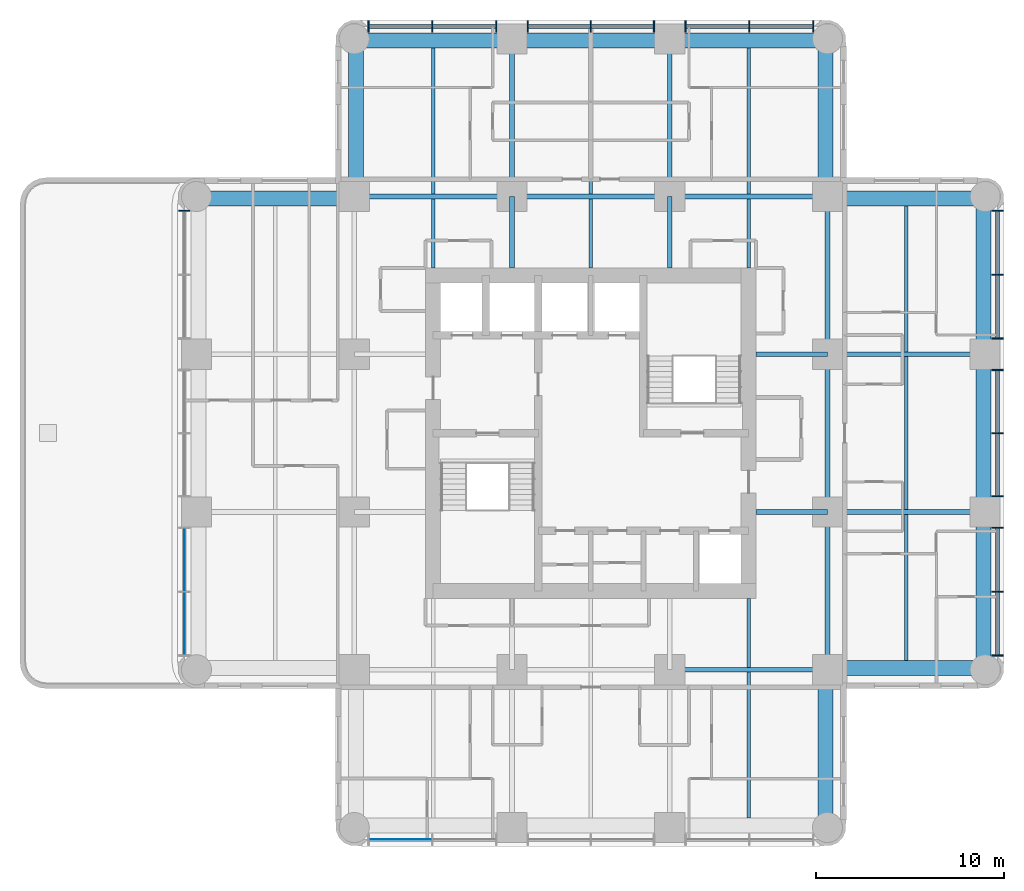
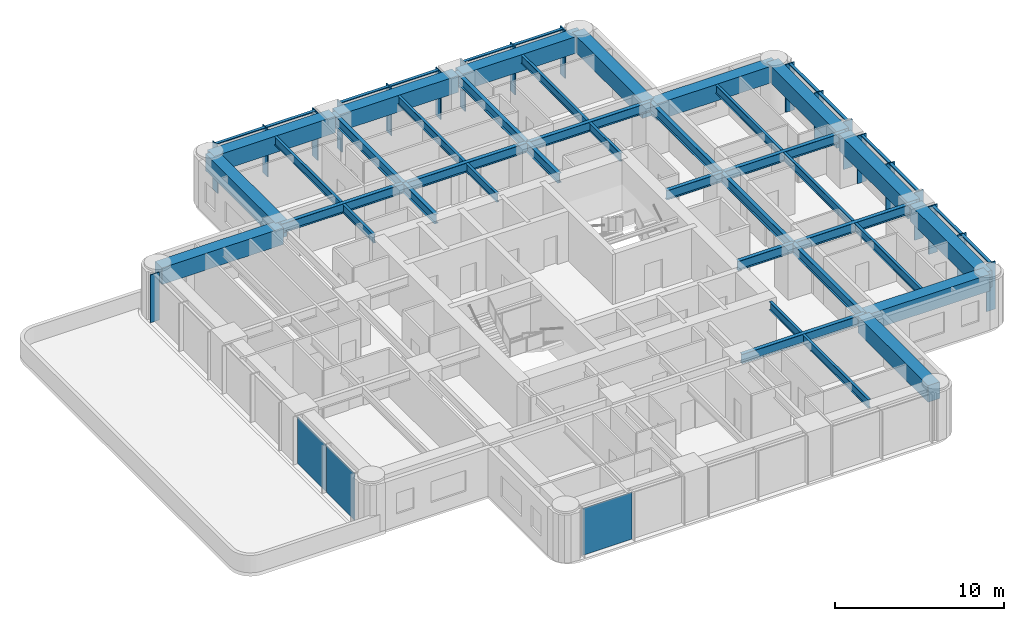
# One storey, part 2 of 9: 38 beams, 31 members, 3 plates, 4 elements without a shape of their own.
"""IFC4 building model written with IfcOpenShell, lengths in metres."""

from ifc_helpers import new_model, si_unit, direction, frame, origin, origin_2d, place, context, subcontext, project, spatial, rectangle, i_section, extrude, material, layer, layer_set, material_profile, profile_set, type_object, element, aggregate, save


model = new_model("IFC4")

# Units and contexts
model_context = context("Model", 3, precision=1e-05, world=origin(), true_north=direction((0.0, 1.0)))
body_context = subcontext(model_context, "Body", "Model", "MODEL_VIEW")
ifc_project = project(units=[si_unit("LENGTHUNIT", "METRE"), si_unit("AREAUNIT", "SQUARE_METRE"), si_unit("VOLUMEUNIT", "CUBIC_METRE"), si_unit("PLANEANGLEUNIT", "RADIAN"), si_unit("MASSUNIT", "GRAM", prefix="KILO")], contexts=[model_context])

# Site, building, storey
site_placement = place(None, origin())
site = spatial("IfcSite", under=ifc_project, at=site_placement, CompositionType="ELEMENT")
building_placement = place(site_placement, origin())
building = spatial("IfcBuilding", under=site, at=building_placement, Name="Torre Alcanfor", CompositionType="ELEMENT")
storey_placement = place(building_placement, frame((0.0, 0.0, 254.10009765625)))
storey = spatial("IfcBuildingStorey", under=building, at=storey_placement, Name="L66", CompositionType="ELEMENT", Elevation=254.10009765625)

# Curtain wall, member
ifc_material_1 = material(Name="Aluminium and glass", Category="aluminium")
curtain_wall_type = type_object("IfcCurtainWallType", Name="CW-A unitised apartment glazing with vertical FIN", PredefinedType="NOTDEFINED", material=ifc_material_1)
curtain_wall_1_placement = place(storey_placement, origin())
curtain_wall_1 = element("IfcCurtainWall", 1, at=curtain_wall_1_placement, inside=storey, type_object=curtain_wall_type, Name="Curtain wall CW-A L66 2", PredefinedType="NOTDEFINED")
ifc_material_2 = material(Name="Bronze anodised aluminium", Category="aluminium")
ifc_material_profile_1 = material_profile(ifc_material_2, rectangle(XDim=0.60009765625, YDim=0.06494140625, at=origin_2d()), Name="CW-A mullion 65x600")
ifc_profile_set_1 = profile_set([ifc_material_profile_1], Name="Bronze anodised aluminium")
member_type_1 = type_object("IfcMemberType", Name="CW-A mullion with vertical FIN 65x600", PredefinedType="MULLION", material=ifc_profile_set_1)
member_1_placement = place(storey_placement, frame((7.75, 41.24267578125, 0.0), z_axis=(0.0, 0.0, 1.0), x_axis=(1.0, 0.0, 0.0)))
member_1 = element("IfcMember", 2, at=member_1_placement, type_object=member_type_1, Name="CW-A mullion 1.1", PredefinedType="MULLION", context=body_context, shape_type="SweptSolid", body=[
    extrude(rectangle(XDim=0.60009765625, YDim=0.06494140625, at=origin_2d()), origin(), (0.0, 0.0, 1.0), 3.449951171875),
])

# Curtain wall, members
curtain_wall_2_placement = place(storey_placement, origin())
curtain_wall_2 = element("IfcCurtainWall", 3, at=curtain_wall_2_placement, inside=storey, type_object=curtain_wall_type, Name="Curtain wall CW-A L66 8", PredefinedType="NOTDEFINED")
member_2_placement = place(storey_placement, frame((51.050048828125, 17.557373046875, 0.0), z_axis=(0.0, 0.0, 1.0), x_axis=(-1.0, 0.0, 0.0)))
member_2 = element("IfcMember", 4, at=member_2_placement, type_object=member_type_1, Name="CW-A mullion 1.1", PredefinedType="MULLION", context=body_context, shape_type="SweptSolid", body=[
    extrude(rectangle(XDim=0.60009765625, YDim=0.06494140625, at=origin_2d()), origin(), (0.0, 0.0, 1.0), 3.449951171875),
])
member_3_placement = place(storey_placement, frame((51.050048828125, 20.9599609375, 0.0), z_axis=(0.0, 0.0, 1.0), x_axis=(-1.0, 0.0, 0.0)))
member_3 = element("IfcMember", 5, at=member_3_placement, type_object=member_type_1, Name="CW-A mullion 1.2", PredefinedType="MULLION", context=body_context, shape_type="SweptSolid", body=[
    extrude(rectangle(XDim=0.60009765625, YDim=0.06494140625, at=origin_2d()), origin(), (0.0, 0.0, 1.0), 3.449951171875),
])
member_4_placement = place(storey_placement, frame((51.050048828125, 24.362548828125, 0.0), z_axis=(0.0, 0.0, 1.0), x_axis=(-1.0, 0.0, 0.0)))
member_4 = element("IfcMember", 6, at=member_4_placement, type_object=member_type_1, Name="CW-A mullion 1.3", PredefinedType="MULLION", context=body_context, shape_type="SweptSolid", body=[
    extrude(rectangle(XDim=0.60009765625, YDim=0.06494140625, at=origin_2d()), origin(), (0.0, 0.0, 1.0), 3.449951171875),
])
member_5_placement = place(storey_placement, frame((51.050048828125, 26.03759765625, 0.0), z_axis=(0.0, 0.0, 1.0), x_axis=(-1.0, 0.0, 0.0)))
member_5 = element("IfcMember", 7, at=member_5_placement, type_object=member_type_1, Name="CW-A mullion 2.1", PredefinedType="MULLION", context=body_context, shape_type="SweptSolid", body=[
    extrude(rectangle(XDim=0.60009765625, YDim=0.06494140625, at=origin_2d()), origin(), (0.0, 0.0, 1.0), 3.449951171875),
])
member_6_placement = place(storey_placement, frame((51.050048828125, 29.39990234375, 0.0), z_axis=(0.0, 0.0, 1.0), x_axis=(-1.0, 0.0, 0.0)))
member_6 = element("IfcMember", 8, at=member_6_placement, type_object=member_type_1, Name="CW-A mullion 2.2", PredefinedType="MULLION", context=body_context, shape_type="SweptSolid", body=[
    extrude(rectangle(XDim=0.60009765625, YDim=0.06494140625, at=origin_2d()), origin(), (0.0, 0.0, 1.0), 3.449951171875),
])
member_7_placement = place(storey_placement, frame((51.050048828125, 32.762451171875, 0.0), z_axis=(0.0, 0.0, 1.0), x_axis=(-1.0, 0.0, 0.0)))
member_7 = element("IfcMember", 9, at=member_7_placement, type_object=member_type_1, Name="CW-A mullion 2.3", PredefinedType="MULLION", context=body_context, shape_type="SweptSolid", body=[
    extrude(rectangle(XDim=0.60009765625, YDim=0.06494140625, at=origin_2d()), origin(), (0.0, 0.0, 1.0), 3.449951171875),
])
member_8_placement = place(storey_placement, frame((51.050048828125, 34.4375, 0.0), z_axis=(0.0, 0.0, 1.0), x_axis=(-1.0, 0.0, 0.0)))
member_8 = element("IfcMember", 10, at=member_8_placement, type_object=member_type_1, Name="CW-A mullion 3.1", PredefinedType="MULLION", context=body_context, shape_type="SweptSolid", body=[
    extrude(rectangle(XDim=0.60009765625, YDim=0.06494140625, at=origin_2d()), origin(), (0.0, 0.0, 1.0), 3.449951171875),
])
member_9_placement = place(storey_placement, frame((51.050048828125, 37.840087890625, 0.0), z_axis=(0.0, 0.0, 1.0), x_axis=(-1.0, 0.0, 0.0)))
member_9 = element("IfcMember", 11, at=member_9_placement, type_object=member_type_1, Name="CW-A mullion 3.2", PredefinedType="MULLION", context=body_context, shape_type="SweptSolid", body=[
    extrude(rectangle(XDim=0.60009765625, YDim=0.06494140625, at=origin_2d()), origin(), (0.0, 0.0, 1.0), 3.449951171875),
])
member_10_placement = place(storey_placement, frame((51.050048828125, 41.24267578125, 0.0), z_axis=(0.0, 0.0, 1.0), x_axis=(-1.0, 0.0, 0.0)))
member_10 = element("IfcMember", 12, at=member_10_placement, type_object=member_type_1, Name="CW-A mullion 3.3", PredefinedType="MULLION", context=body_context, shape_type="SweptSolid", body=[
    extrude(rectangle(XDim=0.60009765625, YDim=0.06494140625, at=origin_2d()), origin(), (0.0, 0.0, 1.0), 3.449951171875),
])

curtain_wall_3_placement = place(storey_placement, origin())
curtain_wall_3 = element("IfcCurtainWall", 13, at=curtain_wall_3_placement, inside=storey, type_object=curtain_wall_type, Name="Curtain wall CW-A L66 11", PredefinedType="NOTDEFINED")
member_11_placement = place(storey_placement, frame((41.24267578125, 51.050048828125, 0.0), z_axis=(0.0, 0.0, 1.0), x_axis=(0.0, -1.0, 0.0)))
member_11 = element("IfcMember", 14, at=member_11_placement, type_object=member_type_1, Name="CW-A mullion 1.1", PredefinedType="MULLION", context=body_context, shape_type="SweptSolid", body=[
    extrude(rectangle(XDim=0.60009765625, YDim=0.06494140625, at=origin_2d()), origin(), (0.0, 0.0, 1.0), 3.449951171875),
])
member_12_placement = place(storey_placement, frame((37.840087890625, 51.050048828125, 0.0), z_axis=(0.0, 0.0, 1.0), x_axis=(0.0, -1.0, 0.0)))
member_12 = element("IfcMember", 15, at=member_12_placement, type_object=member_type_1, Name="CW-A mullion 1.2", PredefinedType="MULLION", context=body_context, shape_type="SweptSolid", body=[
    extrude(rectangle(XDim=0.60009765625, YDim=0.06494140625, at=origin_2d()), origin(), (0.0, 0.0, 1.0), 3.449951171875),
])
member_13_placement = place(storey_placement, frame((34.4375, 51.050048828125, 0.0), z_axis=(0.0, 0.0, 1.0), x_axis=(0.0, -1.0, 0.0)))
member_13 = element("IfcMember", 16, at=member_13_placement, type_object=member_type_1, Name="CW-A mullion 1.3", PredefinedType="MULLION", context=body_context, shape_type="SweptSolid", body=[
    extrude(rectangle(XDim=0.60009765625, YDim=0.06494140625, at=origin_2d()), origin(), (0.0, 0.0, 1.0), 3.449951171875),
])
member_14_placement = place(storey_placement, frame((32.762451171875, 51.050048828125, 0.0), z_axis=(0.0, 0.0, 1.0), x_axis=(0.0, -1.0, 0.0)))
member_14 = element("IfcMember", 17, at=member_14_placement, type_object=member_type_1, Name="CW-A mullion 2.1", PredefinedType="MULLION", context=body_context, shape_type="SweptSolid", body=[
    extrude(rectangle(XDim=0.60009765625, YDim=0.06494140625, at=origin_2d()), origin(), (0.0, 0.0, 1.0), 3.449951171875),
])
member_15_placement = place(storey_placement, frame((29.39990234375, 51.050048828125, 0.0), z_axis=(0.0, 0.0, 1.0), x_axis=(0.0, -1.0, 0.0)))
member_15 = element("IfcMember", 18, at=member_15_placement, type_object=member_type_1, Name="CW-A mullion 2.2", PredefinedType="MULLION", context=body_context, shape_type="SweptSolid", body=[
    extrude(rectangle(XDim=0.60009765625, YDim=0.06494140625, at=origin_2d()), origin(), (0.0, 0.0, 1.0), 3.449951171875),
])
member_16_placement = place(storey_placement, frame((26.03759765625, 51.050048828125, 0.0), z_axis=(0.0, 0.0, 1.0), x_axis=(0.0, -1.0, 0.0)))
member_16 = element("IfcMember", 19, at=member_16_placement, type_object=member_type_1, Name="CW-A mullion 2.3", PredefinedType="MULLION", context=body_context, shape_type="SweptSolid", body=[
    extrude(rectangle(XDim=0.60009765625, YDim=0.06494140625, at=origin_2d()), origin(), (0.0, 0.0, 1.0), 3.449951171875),
])
member_17_placement = place(storey_placement, frame((24.362548828125, 51.050048828125, 0.0), z_axis=(0.0, 0.0, 1.0), x_axis=(0.0, -1.0, 0.0)))
member_17 = element("IfcMember", 20, at=member_17_placement, type_object=member_type_1, Name="CW-A mullion 3.1", PredefinedType="MULLION", context=body_context, shape_type="SweptSolid", body=[
    extrude(rectangle(XDim=0.60009765625, YDim=0.06494140625, at=origin_2d()), origin(), (0.0, 0.0, 1.0), 3.449951171875),
])
member_18_placement = place(storey_placement, frame((20.9599609375, 51.050048828125, 0.0), z_axis=(0.0, 0.0, 1.0), x_axis=(0.0, -1.0, 0.0)))
member_18 = element("IfcMember", 21, at=member_18_placement, type_object=member_type_1, Name="CW-A mullion 3.2", PredefinedType="MULLION", context=body_context, shape_type="SweptSolid", body=[
    extrude(rectangle(XDim=0.60009765625, YDim=0.06494140625, at=origin_2d()), origin(), (0.0, 0.0, 1.0), 3.449951171875),
])
member_19_placement = place(storey_placement, frame((17.557373046875, 51.050048828125, 0.0), z_axis=(0.0, 0.0, 1.0), x_axis=(0.0, -1.0, 0.0)))
member_19 = element("IfcMember", 22, at=member_19_placement, type_object=member_type_1, Name="CW-A mullion 3.3", PredefinedType="MULLION", context=body_context, shape_type="SweptSolid", body=[
    extrude(rectangle(XDim=0.60009765625, YDim=0.06494140625, at=origin_2d()), origin(), (0.0, 0.0, 1.0), 3.449951171875),
])

# Member
ifc_material_3 = material(Name="Extruded aluminium", Category="aluminium")
ifc_material_profile_2 = material_profile(ifc_material_3, rectangle(XDim=0.199951171875, YDim=0.06494140625, at=origin_2d()), Name="CW-A transom 200x65")
ifc_profile_set_2 = profile_set([ifc_material_profile_2], Name="Extruded aluminium")
member_type_2 = type_object("IfcMemberType", Name="CW-A transom 65x200", PredefinedType="USERDEFINED", material=ifc_profile_set_2)
member_20_placement = place(storey_placement, frame((51.050048828125, 17.58984375, 3.41748046875), z_axis=(0.0, 1.0, 0.0), x_axis=(-1.0, 0.0, 0.0)))
member_20 = element("IfcMember", 23, at=member_20_placement, type_object=member_type_2, Name="CW-A transom 1.1.2", ObjectType="TRANSOM", PredefinedType="USERDEFINED", context=body_context, shape_type="SweptSolid", body=[
    extrude(rectangle(XDim=0.199951171875, YDim=0.06494140625, at=origin_2d()), origin(), (0.0, 0.0, 1.0), 3.337646484375),
])

member_21_placement = place(storey_placement, frame((51.050048828125, 20.992431640625, 3.41748046875), z_axis=(0.0, 1.0, 0.0), x_axis=(-1.0, 0.0, 0.0)))
member_21 = element("IfcMember", 24, at=member_21_placement, type_object=member_type_2, Name="CW-A transom 1.2.2", ObjectType="TRANSOM", PredefinedType="USERDEFINED", context=body_context, shape_type="SweptSolid", body=[
    extrude(rectangle(XDim=0.199951171875, YDim=0.06494140625, at=origin_2d()), origin(), (0.0, 0.0, 1.0), 3.337646484375),
])

member_22_placement = place(storey_placement, frame((51.050048828125, 26.070068359375, 3.41748046875), z_axis=(0.0, 1.0, 0.0), x_axis=(-1.0, 0.0, 0.0)))
member_22 = element("IfcMember", 25, at=member_22_placement, type_object=member_type_2, Name="CW-A transom 2.1.2", ObjectType="TRANSOM", PredefinedType="USERDEFINED", context=body_context, shape_type="SweptSolid", body=[
    extrude(rectangle(XDim=0.199951171875, YDim=0.06494140625, at=origin_2d()), origin(), (0.0, 0.0, 1.0), 3.29736328125),
])

member_23_placement = place(storey_placement, frame((51.050048828125, 29.4326171875, 3.41748046875), z_axis=(0.0, 1.0, 0.0), x_axis=(-1.0, 0.0, 0.0)))
member_23 = element("IfcMember", 26, at=member_23_placement, type_object=member_type_2, Name="CW-A transom 2.2.2", ObjectType="TRANSOM", PredefinedType="USERDEFINED", context=body_context, shape_type="SweptSolid", body=[
    extrude(rectangle(XDim=0.199951171875, YDim=0.06494140625, at=origin_2d()), origin(), (0.0, 0.0, 1.0), 3.29736328125),
])

member_24_placement = place(storey_placement, frame((51.050048828125, 34.469970703125, 3.41748046875), z_axis=(0.0, 1.0, 0.0), x_axis=(-1.0, 0.0, 0.0)))
member_24 = element("IfcMember", 27, at=member_24_placement, type_object=member_type_2, Name="CW-A transom 3.1.2", ObjectType="TRANSOM", PredefinedType="USERDEFINED", context=body_context, shape_type="SweptSolid", body=[
    extrude(rectangle(XDim=0.199951171875, YDim=0.06494140625, at=origin_2d()), origin(), (0.0, 0.0, 1.0), 3.337646484375),
])

member_25_placement = place(storey_placement, frame((51.050048828125, 37.87255859375, 3.41748046875), z_axis=(0.0, 1.0, 0.0), x_axis=(-1.0, 0.0, 0.0)))
member_25 = element("IfcMember", 28, at=member_25_placement, type_object=member_type_2, Name="CW-A transom 3.2.2", ObjectType="TRANSOM", PredefinedType="USERDEFINED", context=body_context, shape_type="SweptSolid", body=[
    extrude(rectangle(XDim=0.199951171875, YDim=0.06494140625, at=origin_2d()), origin(), (0.0, 0.0, 1.0), 3.337646484375),
])

aggregate(curtain_wall_2, [member_2, member_3, member_4, member_20, member_21, member_5, member_6, member_7, member_22, member_23, member_8, member_9, member_10, member_24, member_25])

member_26_placement = place(storey_placement, frame((41.210205078125, 51.050048828125, 3.41748046875), z_axis=(-1.0, 0.0, 0.0), x_axis=(0.0, -1.0, 0.0)))
member_26 = element("IfcMember", 29, at=member_26_placement, type_object=member_type_2, Name="CW-A transom 1.1.2", ObjectType="TRANSOM", PredefinedType="USERDEFINED", context=body_context, shape_type="SweptSolid", body=[
    extrude(rectangle(XDim=0.199951171875, YDim=0.06494140625, at=origin_2d()), origin(), (0.0, 0.0, 1.0), 3.337646484375),
])

member_27_placement = place(storey_placement, frame((37.8076171875, 51.050048828125, 3.41748046875), z_axis=(-1.0, 0.0, 0.0), x_axis=(0.0, -1.0, 0.0)))
member_27 = element("IfcMember", 30, at=member_27_placement, type_object=member_type_2, Name="CW-A transom 1.2.2", ObjectType="TRANSOM", PredefinedType="USERDEFINED", context=body_context, shape_type="SweptSolid", body=[
    extrude(rectangle(XDim=0.199951171875, YDim=0.06494140625, at=origin_2d()), origin(), (0.0, 0.0, 1.0), 3.337646484375),
])

member_28_placement = place(storey_placement, frame((32.72998046875, 51.050048828125, 3.41748046875), z_axis=(-1.0, 0.0, 0.0), x_axis=(0.0, -1.0, 0.0)))
member_28 = element("IfcMember", 31, at=member_28_placement, type_object=member_type_2, Name="CW-A transom 2.1.2", ObjectType="TRANSOM", PredefinedType="USERDEFINED", context=body_context, shape_type="SweptSolid", body=[
    extrude(rectangle(XDim=0.199951171875, YDim=0.06494140625, at=origin_2d()), origin(), (0.0, 0.0, 1.0), 3.29736328125),
])

member_29_placement = place(storey_placement, frame((29.367431640625, 51.050048828125, 3.41748046875), z_axis=(-1.0, 0.0, 0.0), x_axis=(0.0, -1.0, 0.0)))
member_29 = element("IfcMember", 32, at=member_29_placement, type_object=member_type_2, Name="CW-A transom 2.2.2", ObjectType="TRANSOM", PredefinedType="USERDEFINED", context=body_context, shape_type="SweptSolid", body=[
    extrude(rectangle(XDim=0.199951171875, YDim=0.06494140625, at=origin_2d()), origin(), (0.0, 0.0, 1.0), 3.29736328125),
])

member_30_placement = place(storey_placement, frame((24.330078125, 51.050048828125, 3.41748046875), z_axis=(-1.0, 0.0, 0.0), x_axis=(0.0, -1.0, 0.0)))
member_30 = element("IfcMember", 33, at=member_30_placement, type_object=member_type_2, Name="CW-A transom 3.1.2", ObjectType="TRANSOM", PredefinedType="USERDEFINED", context=body_context, shape_type="SweptSolid", body=[
    extrude(rectangle(XDim=0.199951171875, YDim=0.06494140625, at=origin_2d()), origin(), (0.0, 0.0, 1.0), 3.337646484375),
])

member_31_placement = place(storey_placement, frame((20.927490234375, 51.050048828125, 3.41748046875), z_axis=(-1.0, 0.0, 0.0), x_axis=(0.0, -1.0, 0.0)))
member_31 = element("IfcMember", 34, at=member_31_placement, type_object=member_type_2, Name="CW-A transom 3.2.2", ObjectType="TRANSOM", PredefinedType="USERDEFINED", context=body_context, shape_type="SweptSolid", body=[
    extrude(rectangle(XDim=0.199951171875, YDim=0.06494140625, at=origin_2d()), origin(), (0.0, 0.0, 1.0), 3.337646484375),
])

aggregate(curtain_wall_3, [member_11, member_12, member_13, member_26, member_27, member_14, member_15, member_16, member_28, member_29, member_17, member_18, member_19, member_30, member_31])

# Beams
ifc_material_4 = material(Name="Steel ASTM A992 Grade 50", Category="steel")
ifc_material_profile_3 = material_profile(ifc_material_4, i_section(OverallWidth=0.25390625, OverallDepth=0.683349609375, WebThickness=0.012451171875, FlangeThickness=0.01904296875, at=origin_2d()), Name="W27x94")
ifc_profile_set_3 = profile_set([ifc_material_profile_3], Name="Steel ASTM A992 Grade 50")
beam_type_1 = type_object("IfcBeamType", Name="Girder W27x94", PredefinedType="BEAM", material=ifc_profile_set_3)
for number, where, z_axis, x_axis, name in (
    (35, (33.60009765625, 16.800048828125, 3.108154296875), (1.0, 0.0, 0.0), (0.0, 1.0, 0.0), "Beam 5E-6E under L67"),
    (36, (42.0, 25.199951171875, 3.108154296875), (1.0, 0.0, 0.0), (0.0, 1.0, 0.0), "Beam 6F-7F under L67"),
    (37, (42.0, 33.60009765625, 3.108154296875), (1.0, 0.0, 0.0), (0.0, 1.0, 0.0), "Beam 6G-7G under L67"),
    (38, (16.800048828125, 42.0, 3.108154296875), (1.0, 0.0, 0.0), (0.0, 1.0, 0.0), "Beam 3H-4H under L67"),
):
    element("IfcBeam", number, at=place(storey_placement, frame(where, z_axis=z_axis, x_axis=x_axis)), inside=storey, type_object=beam_type_1, Name=name, PredefinedType="BEAM", context=body_context, shape_type="SweptSolid", body=[
        extrude(i_section(OverallWidth=0.25390625, OverallDepth=0.683349609375, WebThickness=0.012451171875, FlangeThickness=0.01904296875, at=origin_2d()), origin(), (0.0, 0.0, 1.0), 8.39990234375),
    ])
beam_1_placement = place(storey_placement, frame((25.199951171875, 42.0, 3.108154296875), z_axis=(1.0, 0.0, 0.0), x_axis=(0.0, 1.0, 0.0)))
element("IfcBeam", 39, at=beam_1_placement, inside=storey, type_object=beam_type_1, Name="Beam 4H-5H under L67", PredefinedType="BEAM", context=body_context, shape_type="SweptSolid", body=[
    extrude(i_section(OverallWidth=0.25390625, OverallDepth=0.683349609375, WebThickness=0.012451171875, FlangeThickness=0.01904296875, at=origin_2d()), origin(), (0.0, 0.0, 1.0), 8.400146484375),
])
for number, where, z_axis, x_axis, name in (
    (40, (33.60009765625, 42.0, 3.108154296875), (1.0, 0.0, 0.0), (0.0, 1.0, 0.0), "Beam 5H-6H under L67"),
    (41, (25.199951171875, 42.0, 3.108154296875), (0.0, 1.0, 0.0), (-1.0, 0.0, 0.0), "Beam 4H-4J under L67"),
    (42, (33.60009765625, 42.0, 3.108154296875), (0.0, 1.0, 0.0), (-1.0, 0.0, 0.0), "Beam 5H-5J under L67"),
    (43, (42.0, 16.800048828125, 3.108154296875), (0.0, 1.0, 0.0), (-1.0, 0.0, 0.0), "Beam 6E-6F under L67"),
):
    element("IfcBeam", number, at=place(storey_placement, frame(where, z_axis=z_axis, x_axis=x_axis)), inside=storey, type_object=beam_type_1, Name=name, PredefinedType="BEAM", context=body_context, shape_type="SweptSolid", body=[
        extrude(i_section(OverallWidth=0.25390625, OverallDepth=0.683349609375, WebThickness=0.012451171875, FlangeThickness=0.01904296875, at=origin_2d()), origin(), (0.0, 0.0, 1.0), 8.39990234375),
    ])
beam_2_placement = place(storey_placement, frame((42.0, 25.199951171875, 3.108154296875), z_axis=(0.0, 1.0, 0.0), x_axis=(-1.0, 0.0, 0.0)))
element("IfcBeam", 44, at=beam_2_placement, inside=storey, type_object=beam_type_1, Name="Beam 6F-6G under L67", PredefinedType="BEAM", context=body_context, shape_type="SweptSolid", body=[
    extrude(i_section(OverallWidth=0.25390625, OverallDepth=0.683349609375, WebThickness=0.012451171875, FlangeThickness=0.01904296875, at=origin_2d()), origin(), (0.0, 0.0, 1.0), 8.400146484375),
])
beam_3_placement = place(storey_placement, frame((42.0, 33.60009765625, 3.108154296875), z_axis=(0.0, 1.0, 0.0), x_axis=(-1.0, 0.0, 0.0)))
element("IfcBeam", 45, at=beam_3_placement, inside=storey, type_object=beam_type_1, Name="Beam 6G-6H under L67", PredefinedType="BEAM", context=body_context, shape_type="SweptSolid", body=[
    extrude(i_section(OverallWidth=0.25390625, OverallDepth=0.683349609375, WebThickness=0.012451171875, FlangeThickness=0.01904296875, at=origin_2d()), origin(), (0.0, 0.0, 1.0), 8.39990234375),
])
ifc_material_5 = material(Name="Steel ASTM A992 Grade 50", Category="steel")
ifc_material_profile_4 = material_profile(ifc_material_5, i_section(OverallWidth=0.25390625, OverallDepth=0.683349609375, WebThickness=0.012451171875, FlangeThickness=0.01904296875, at=origin_2d()), Name="W27x94")
ifc_profile_set_4 = profile_set([ifc_material_profile_4], Name="Steel ASTM A992 Grade 50")
beam_type_2 = type_object("IfcBeamType", Name="Girder, part bay W27x94", PredefinedType="BEAM", material=ifc_profile_set_4)
for number, where, z_axis, x_axis, name in (
    (46, (25.199951171875, 42.0, 3.108154296875), (0.0, -1.0, 0.0), (1.0, 0.0, 0.0), "Beam 4H-438_2 under L67"),
    (47, (33.60009765625, 42.0, 3.108154296875), (0.0, -1.0, 0.0), (1.0, 0.0, 0.0), "Beam 5H-538_2 under L67"),
    (48, (42.0, 25.199951171875, 3.108154296875), (-1.0, 0.0, 0.0), (0.0, -1.0, 0.0), "Beam 6F-38_2F under L67"),
    (49, (42.0, 33.60009765625, 3.108154296875), (-1.0, 0.0, 0.0), (0.0, -1.0, 0.0), "Beam 6G-38_2G under L67"),
):
    element("IfcBeam", number, at=place(storey_placement, frame(where, z_axis=z_axis, x_axis=x_axis)), inside=storey, type_object=beam_type_2, Name=name, PredefinedType="BEAM", context=body_context, shape_type="SweptSolid", body=[
        extrude(i_section(OverallWidth=0.25390625, OverallDepth=0.683349609375, WebThickness=0.012451171875, FlangeThickness=0.01904296875, at=origin_2d()), origin(), (0.0, 0.0, 1.0), 3.800048828125),
    ])
ifc_material_6 = material(Name="Concrete f'c 70 MPa", Category="concrete")
ifc_material_profile_5 = material_profile(ifc_material_6, rectangle(XDim=0.800048828125, YDim=1.199951171875, at=origin_2d()), Name="800x1200")
ifc_profile_set_5 = profile_set([ifc_material_profile_5], Name="Concrete f'c 70 MPa")
beam_type_3 = type_object("IfcBeamType", Name="RC perimeter beam 800x1200", PredefinedType="BEAM", material=ifc_profile_set_5)
beam_4_placement = place(storey_placement, frame((42.126953125, 16.89990234375, 2.849853515625), z_axis=(1.0, 0.0, 0.0), x_axis=(0.0, 1.0, 0.0)))
element("IfcBeam", 50, at=beam_4_placement, inside=storey, type_object=beam_type_3, Name="Beam 6E-7E under L67", PredefinedType="BEAM", context=body_context, shape_type="SweptSolid", body=[
    extrude(rectangle(XDim=0.800048828125, YDim=1.199951171875, at=origin_2d()), origin(), (0.0, 0.0, 1.0), 8.27294921875),
])
beam_5_placement = place(storey_placement, frame((8.39990234375, 41.89990234375, 2.849853515625), z_axis=(1.0, 0.0, 0.0), x_axis=(0.0, 1.0, 0.0)))
element("IfcBeam", 51, at=beam_5_placement, inside=storey, type_object=beam_type_3, Name="Beam 2H-3H under L67", PredefinedType="BEAM", context=body_context, shape_type="SweptSolid", body=[
    extrude(rectangle(XDim=0.800048828125, YDim=1.199951171875, at=origin_2d()), origin(), (0.0, 0.0, 1.0), 8.273193359375),
])
for number, where, z_axis, x_axis, name in (
    (52, (42.126953125, 41.89990234375, 2.849853515625), (1.0, 0.0, 0.0), (0.0, 1.0, 0.0), "Beam 6H-7H under L67"),
    (53, (16.800048828125, 50.300048828125, 2.849853515625), (1.0, 0.0, 0.0), (0.0, 1.0, 0.0), "Beam 3J-4J under L67"),
):
    element("IfcBeam", number, at=place(storey_placement, frame(where, z_axis=z_axis, x_axis=x_axis)), inside=storey, type_object=beam_type_3, Name=name, PredefinedType="BEAM", context=body_context, shape_type="SweptSolid", body=[
        extrude(rectangle(XDim=0.800048828125, YDim=1.199951171875, at=origin_2d()), origin(), (0.0, 0.0, 1.0), 8.27294921875),
    ])
beam_6_placement = place(storey_placement, frame((25.326904296875, 50.300048828125, 2.849853515625), z_axis=(1.0, 0.0, 0.0), x_axis=(0.0, 1.0, 0.0)))
element("IfcBeam", 54, at=beam_6_placement, inside=storey, type_object=beam_type_3, Name="Beam 4J-5J under L67", PredefinedType="BEAM", context=body_context, shape_type="SweptSolid", body=[
    extrude(rectangle(XDim=0.800048828125, YDim=1.199951171875, at=origin_2d()), origin(), (0.0, 0.0, 1.0), 8.14599609375),
])
for number, where, z_axis, x_axis, name in (
    (55, (33.72705078125, 50.300048828125, 2.849853515625), (1.0, 0.0, 0.0), (0.0, 1.0, 0.0), "Beam 5J-6J under L67"),
    (56, (16.89990234375, 42.126953125, 2.849853515625), (0.0, 1.0, 0.0), (-1.0, 0.0, 0.0), "Beam 3H-3J under L67"),
):
    element("IfcBeam", number, at=place(storey_placement, frame(where, z_axis=z_axis, x_axis=x_axis)), inside=storey, type_object=beam_type_3, Name=name, PredefinedType="BEAM", context=body_context, shape_type="SweptSolid", body=[
        extrude(rectangle(XDim=0.800048828125, YDim=1.199951171875, at=origin_2d()), origin(), (0.0, 0.0, 1.0), 8.27294921875),
    ])
beam_7_placement = place(storey_placement, frame((41.89990234375, 8.39990234375, 2.849853515625), z_axis=(0.0, 1.0, 0.0), x_axis=(-1.0, 0.0, 0.0)))
element("IfcBeam", 57, at=beam_7_placement, inside=storey, type_object=beam_type_3, Name="Beam 6D-6E under L67", PredefinedType="BEAM", context=body_context, shape_type="SweptSolid", body=[
    extrude(rectangle(XDim=0.800048828125, YDim=1.199951171875, at=origin_2d()), origin(), (0.0, 0.0, 1.0), 8.273193359375),
])
for number, where, z_axis, x_axis, name in (
    (58, (41.89990234375, 42.126953125, 2.849853515625), (0.0, 1.0, 0.0), (-1.0, 0.0, 0.0), "Beam 6H-6J under L67"),
    (59, (50.300048828125, 16.800048828125, 2.849853515625), (0.0, 1.0, 0.0), (-1.0, 0.0, 0.0), "Beam 7E-7F under L67"),
):
    element("IfcBeam", number, at=place(storey_placement, frame(where, z_axis=z_axis, x_axis=x_axis)), inside=storey, type_object=beam_type_3, Name=name, PredefinedType="BEAM", context=body_context, shape_type="SweptSolid", body=[
        extrude(rectangle(XDim=0.800048828125, YDim=1.199951171875, at=origin_2d()), origin(), (0.0, 0.0, 1.0), 8.27294921875),
    ])
beam_8_placement = place(storey_placement, frame((50.300048828125, 25.326904296875, 2.849853515625), z_axis=(0.0, 1.0, 0.0), x_axis=(-1.0, 0.0, 0.0)))
element("IfcBeam", 60, at=beam_8_placement, inside=storey, type_object=beam_type_3, Name="Beam 7F-7G under L67", PredefinedType="BEAM", context=body_context, shape_type="SweptSolid", body=[
    extrude(rectangle(XDim=0.800048828125, YDim=1.199951171875, at=origin_2d()), origin(), (0.0, 0.0, 1.0), 8.14599609375),
])
beam_9_placement = place(storey_placement, frame((50.300048828125, 33.72705078125, 2.849853515625), z_axis=(0.0, 1.0, 0.0), x_axis=(-1.0, 0.0, 0.0)))
element("IfcBeam", 61, at=beam_9_placement, inside=storey, type_object=beam_type_3, Name="Beam 7G-7H under L67", PredefinedType="BEAM", context=body_context, shape_type="SweptSolid", body=[
    extrude(rectangle(XDim=0.800048828125, YDim=1.199951171875, at=origin_2d()), origin(), (0.0, 0.0, 1.0), 8.27294921875),
])
ifc_material_7 = material(Name="Steel ASTM A992 Grade 50", Category="steel")
ifc_material_profile_6 = material_profile(ifc_material_7, i_section(OverallWidth=0.1787109375, OverallDepth=0.60205078125, WebThickness=0.010986328125, FlangeThickness=0.014892578125, at=origin_2d()), Name="W24x62")
ifc_profile_set_6 = profile_set([ifc_material_profile_6], Name="Steel ASTM A992 Grade 50")
beam_type_4 = type_object("IfcBeamType", Name="Secondary beam W24x62", PredefinedType="BEAM", material=ifc_profile_set_6)
for number, where, z_axis, x_axis, name in (
    (62, (21.0, 42.126953125, 3.14892578125), (0.0, 1.0, 0.0), (-1.0, 0.0, 0.0), "Beam 21H-21J under L67"),
    (63, (29.39990234375, 42.126953125, 3.14892578125), (0.0, 1.0, 0.0), (-1.0, 0.0, 0.0), "Beam 29_4H-29_4J under L67"),
):
    element("IfcBeam", number, at=place(storey_placement, frame(where, z_axis=z_axis, x_axis=x_axis)), inside=storey, type_object=beam_type_4, Name=name, PredefinedType="BEAM", context=body_context, shape_type="SweptSolid", body=[
        extrude(i_section(OverallWidth=0.1787109375, OverallDepth=0.60205078125, WebThickness=0.010986328125, FlangeThickness=0.014892578125, at=origin_2d()), origin(), (0.0, 0.0, 1.0), 7.77294921875),
    ])
beam_10_placement = place(storey_placement, frame((37.800048828125, 8.89990234375, 3.14892578125), z_axis=(0.0, 1.0, 0.0), x_axis=(-1.0, 0.0, 0.0)))
element("IfcBeam", 64, at=beam_10_placement, inside=storey, type_object=beam_type_4, Name="Beam 37_8D-37_8E under L67", PredefinedType="BEAM", context=body_context, shape_type="SweptSolid", body=[
    extrude(i_section(OverallWidth=0.1787109375, OverallDepth=0.60205078125, WebThickness=0.010986328125, FlangeThickness=0.014892578125, at=origin_2d()), origin(), (0.0, 0.0, 1.0), 7.773193359375),
])
for number, where, z_axis, x_axis, name in (
    (65, (37.800048828125, 42.126953125, 3.14892578125), (0.0, 1.0, 0.0), (-1.0, 0.0, 0.0), "Beam 37_8H-37_8J under L67"),
    (66, (46.199951171875, 17.300048828125, 3.14892578125), (0.0, 1.0, 0.0), (-1.0, 0.0, 0.0), "Beam 46_2E-46_2F under L67"),
):
    element("IfcBeam", number, at=place(storey_placement, frame(where, z_axis=z_axis, x_axis=x_axis)), inside=storey, type_object=beam_type_4, Name=name, PredefinedType="BEAM", context=body_context, shape_type="SweptSolid", body=[
        extrude(i_section(OverallWidth=0.1787109375, OverallDepth=0.60205078125, WebThickness=0.010986328125, FlangeThickness=0.014892578125, at=origin_2d()), origin(), (0.0, 0.0, 1.0), 7.77294921875),
    ])
beam_11_placement = place(storey_placement, frame((46.199951171875, 25.326904296875, 3.14892578125), z_axis=(0.0, 1.0, 0.0), x_axis=(-1.0, 0.0, 0.0)))
element("IfcBeam", 67, at=beam_11_placement, inside=storey, type_object=beam_type_4, Name="Beam 46_2F-46_2G under L67", PredefinedType="BEAM", context=body_context, shape_type="SweptSolid", body=[
    extrude(i_section(OverallWidth=0.1787109375, OverallDepth=0.60205078125, WebThickness=0.010986328125, FlangeThickness=0.014892578125, at=origin_2d()), origin(), (0.0, 0.0, 1.0), 8.14599609375),
])
beam_12_placement = place(storey_placement, frame((46.199951171875, 33.72705078125, 3.14892578125), z_axis=(0.0, 1.0, 0.0), x_axis=(-1.0, 0.0, 0.0)))
element("IfcBeam", 68, at=beam_12_placement, inside=storey, type_object=beam_type_4, Name="Beam 46_2G-46_2H under L67", PredefinedType="BEAM", context=body_context, shape_type="SweptSolid", body=[
    extrude(i_section(OverallWidth=0.1787109375, OverallDepth=0.60205078125, WebThickness=0.010986328125, FlangeThickness=0.014892578125, at=origin_2d()), origin(), (0.0, 0.0, 1.0), 7.77294921875),
])
ifc_material_8 = material(Name="Steel ASTM A992 Grade 50", Category="steel")
ifc_material_profile_7 = material_profile(ifc_material_8, i_section(OverallWidth=0.1787109375, OverallDepth=0.60205078125, WebThickness=0.010986328125, FlangeThickness=0.014892578125, at=origin_2d()), Name="W24x62")
ifc_profile_set_7 = profile_set([ifc_material_profile_7], Name="Steel ASTM A992 Grade 50")
beam_type_5 = type_object("IfcBeamType", Name="Secondary beam, part bay W24x62", PredefinedType="BEAM", material=ifc_profile_set_7)
for number, where, z_axis, x_axis, name in (
    (69, (21.0, 38.199951171875, 3.14892578125), (0.0, 1.0, 0.0), (-1.0, 0.0, 0.0), "Beam 2138_2-21H under L67"),
    (70, (29.39990234375, 38.199951171875, 3.14892578125), (0.0, 1.0, 0.0), (-1.0, 0.0, 0.0), "Beam 29_438_2-29_4H under L67"),
    (71, (37.800048828125, 16.927001953125, 3.14892578125), (0.0, 1.0, 0.0), (-1.0, 0.0, 0.0), "Beam 37_8E-37_820_6 under L67"),
    (72, (37.800048828125, 38.199951171875, 3.14892578125), (0.0, 1.0, 0.0), (-1.0, 0.0, 0.0), "Beam 37_838_2-37_8H under L67"),
):
    element("IfcBeam", number, at=place(storey_placement, frame(where, z_axis=z_axis, x_axis=x_axis)), inside=storey, type_object=beam_type_5, Name=name, PredefinedType="BEAM", context=body_context, shape_type="SweptSolid", body=[
        extrude(i_section(OverallWidth=0.1787109375, OverallDepth=0.60205078125, WebThickness=0.010986328125, FlangeThickness=0.014892578125, at=origin_2d()), origin(), (0.0, 0.0, 1.0), 3.673095703125),
    ])

# Plate
ifc_material_9 = material(Name="Glass", Category="glass")
ifc_layer = layer(ifc_material_9, 0.028076171875)
ifc_layer_set = layer_set([ifc_layer], Name="CW-A clear double glazed unit")
plate_type = type_object("IfcPlateType", Name="CW-A clear double glazed unit", PredefinedType="CURTAIN_PANEL", material=ifc_layer_set)
plate_1_placement = place(storey_placement, frame((7.75, 22.6611328125, 0.0), z_axis=(0.0, 0.0, 1.0), x_axis=(0.0, -1.0, 0.0)))
plate_1 = element("IfcPlate", 73, at=plate_1_placement, type_object=plate_type, Name="CW-A panel 3.1.1", PredefinedType="CURTAIN_PANEL", context=body_context, shape_type="SweptSolid", body=[
    extrude(rectangle(XDim=3.337646484375, YDim=0.028076171875, at=origin_2d()), origin(), (0.0, 0.0, 1.0), 3.385009765625),
])

plate_2_placement = place(storey_placement, frame((7.75, 19.2587890625, 0.0), z_axis=(0.0, 0.0, 1.0), x_axis=(0.0, -1.0, 0.0)))
plate_2 = element("IfcPlate", 74, at=plate_2_placement, type_object=plate_type, Name="CW-A panel 3.2.1", PredefinedType="CURTAIN_PANEL", context=body_context, shape_type="SweptSolid", body=[
    extrude(rectangle(XDim=3.337646484375, YDim=0.028076171875, at=origin_2d()), origin(), (0.0, 0.0, 1.0), 3.385009765625),
])

aggregate(curtain_wall_1, [member_1, plate_1, plate_2])

# Curtain wall, plate
curtain_wall_4_placement = place(storey_placement, origin())
curtain_wall_4 = element("IfcCurtainWall", 75, at=curtain_wall_4_placement, inside=storey, type_object=curtain_wall_type, Name="Curtain wall CW-A L66 5", PredefinedType="NOTDEFINED")
plate_3_placement = place(storey_placement, frame((19.2587890625, 7.75, 0.0), z_axis=(0.0, 0.0, 1.0), x_axis=(1.0, 0.0, 0.0)))
plate_3 = element("IfcPlate", 76, at=plate_3_placement, type_object=plate_type, Name="CW-A panel 1.1.1", PredefinedType="CURTAIN_PANEL", context=body_context, shape_type="SweptSolid", body=[
    extrude(rectangle(XDim=3.337646484375, YDim=0.028076171875, at=origin_2d()), origin(), (0.0, 0.0, 1.0), 3.385009765625),
])
aggregate(curtain_wall_4, [plate_3])

save(model, "model.ifc")
